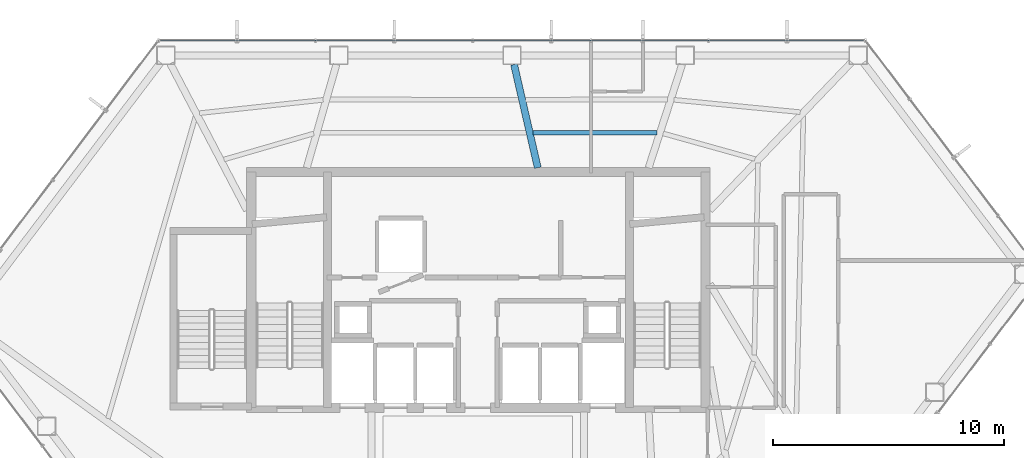
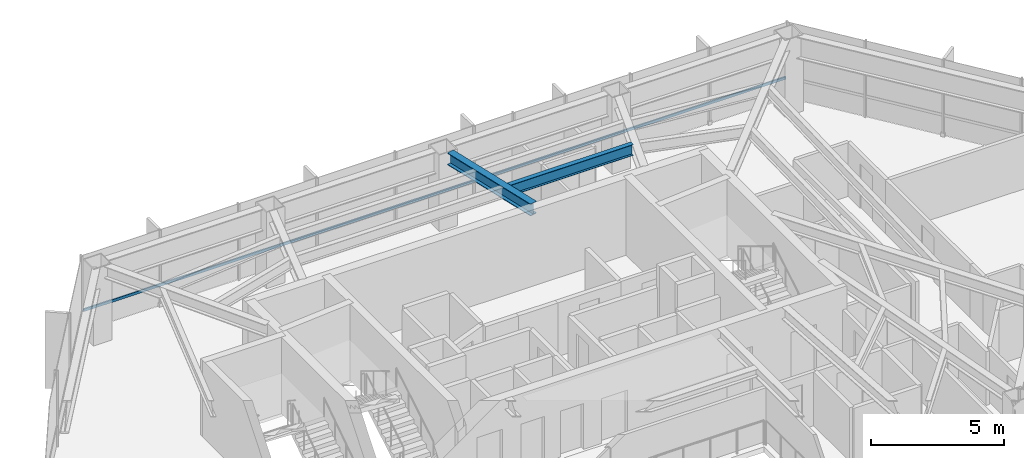
# One storey, part 15 of 29: 2 beams, 1 member, 1 element without a shape of its own.
"""IFC4 building model written with IfcOpenShell, lengths in metres."""

from ifc_helpers import new_model, si_unit, direction, frame, origin, origin_2d, place, context, subcontext, project, spatial, hollow_rectangle, i_section, extrude, material, layer, layer_set, material_profile, profile_set, type_object, element, aggregate, save


model = new_model("IFC4")

# Units and contexts
model_context = context("Model", 3, precision=1e-05, world=origin(), true_north=direction((0.0, 1.0)))
body_context = subcontext(model_context, "Body", "Model", "MODEL_VIEW")
ifc_project = project(units=[si_unit("LENGTHUNIT", "METRE"), si_unit("AREAUNIT", "SQUARE_METRE"), si_unit("VOLUMEUNIT", "CUBIC_METRE"), si_unit("PLANEANGLEUNIT", "RADIAN"), si_unit("MASSUNIT", "GRAM", prefix="KILO")], contexts=[model_context])

# Site, building, storey
site_placement = place(None, origin())
site = spatial("IfcSite", under=ifc_project, at=site_placement, CompositionType="ELEMENT")
building_placement = place(site_placement, origin())
building = spatial("IfcBuilding", under=site, at=building_placement, Name="Zarrinselat Tower", CompositionType="ELEMENT")
storey_placement = place(building_placement, frame((0.0, 0.0, 134.639892578125)))
storey = spatial("IfcBuildingStorey", under=building, at=storey_placement, Name="L32", CompositionType="ELEMENT", Elevation=134.639892578125)

# Beams
ifc_material_1 = material(Name="Steel S355J2", Category="steel")
ifc_material_profile_1 = material_profile(ifc_material_1, i_section(OverallWidth=0.300048828125, OverallDepth=0.550048828125, WebThickness=0.014892578125, FlangeThickness=0.029052734375, at=origin_2d()), Name="HEB 550")
ifc_profile_set_1 = profile_set([ifc_material_profile_1], Name="Steel S355J2")
beam_type_1 = type_object("IfcBeamType", Name="BM-HEB550", PredefinedType="BEAM", material=ifc_profile_set_1)
beam_1_placement = place(storey_placement, frame((39.974609375, 48.108154296875, 3.22509765625), z_axis=(0.223669189107, -0.97466511882, 0.0), x_axis=(0.97466511882, 0.223669189107, 0.0)))
element("IfcBeam", 1, at=beam_1_placement, inside=storey, type_object=beam_type_1, Name="L32 Radial Primary Girder RG03", PredefinedType="BEAM", context=body_context, shape_type="SweptSolid", body=[
    extrude(i_section(OverallWidth=0.300048828125, OverallDepth=0.550048828125, WebThickness=0.014892578125, FlangeThickness=0.029052734375, at=origin_2d()), origin(), (0.0, 0.0, 1.0), 4.58447265625),
])
ifc_material_2 = material(Name="Steel S355J2", Category="steel")
ifc_material_profile_2 = material_profile(ifc_material_2, i_section(OverallWidth=0.199951171875, OverallDepth=0.5, WebThickness=0.01025390625, FlangeThickness=0.01611328125, at=origin_2d()), Name="IPE 500")
ifc_profile_set_2 = profile_set([ifc_material_profile_2], Name="Steel S355J2")
beam_type_2 = type_object("IfcBeamType", Name="BM-IPE500", PredefinedType="JOIST", material=ifc_profile_set_2)
beam_2_placement = place(storey_placement, frame((40.79150390625, 45.1591796875, 3.25), z_axis=(0.999999824809, 0.000591931414, 0.0), x_axis=(-0.000591931414, 0.999999824809, 0.0)))
element("IfcBeam", 2, at=beam_2_placement, inside=storey, type_object=beam_type_2, Name="L32 Composite Floor Joist 7-2", PredefinedType="JOIST", context=body_context, shape_type="SweptSolid", body=[
    extrude(i_section(OverallWidth=0.199951171875, OverallDepth=0.5, WebThickness=0.01025390625, FlangeThickness=0.01611328125, at=origin_2d()), origin(), (0.0, 0.0, 1.0), 5.36181640625),
])

# Curtain wall, member
ifc_material_3 = material(Name="Extruded Aluminium Alloy EN AW-6063 T6", Category="aluminium")
ifc_layer = layer(ifc_material_3, 0.175048828125)
ifc_layer_set = layer_set([ifc_layer], Name="Extruded Aluminium Alloy EN AW-6063 T6")
curtain_wall_type = type_object("IfcCurtainWallType", Name="CWS-HTL", PredefinedType="NOTDEFINED", material=ifc_layer_set)
curtain_wall_placement = place(storey_placement, origin())
curtain_wall = element("IfcCurtainWall", 3, at=curtain_wall_placement, inside=storey, type_object=curtain_wall_type, Name="L32 Unitised Curtain Wall CW-L32-E01", PredefinedType="NOTDEFINED")
ifc_material_4 = material(Name="Extruded Aluminium Alloy EN AW-6063 T6", Category="aluminium")
ifc_material_profile_3 = material_profile(ifc_material_4, hollow_rectangle(XDim=0.06005859375, YDim=0.1201171875, WallThickness=0.00390625, at=origin_2d()), Name="RHS 120x60x4")
ifc_profile_set_3 = profile_set([ifc_material_profile_3], Name="Extruded Aluminium Alloy EN AW-6063 T6")
member_type = type_object("IfcMemberType", Name="MEM-CW-TRN2", PredefinedType="USERDEFINED", material=ifc_profile_set_3)
member_placement = place(storey_placement, frame((55.097900390625, 49.14990234375, 0.9501953125), z_axis=(-1.0, 0.0, 0.0), x_axis=(0.0, -1.0, 0.0)))
member = element("IfcMember", 4, at=member_placement, type_object=member_type, Name="CW-L32-E01 Transom 1", ObjectType="TRANSOM", PredefinedType="USERDEFINED", context=body_context, shape_type="SweptSolid", body=[
    extrude(hollow_rectangle(XDim=0.06005859375, YDim=0.1201171875, WallThickness=0.00390625, at=origin_2d()), origin(), (0.0, 0.0, 1.0), 30.426513671875),
])
aggregate(curtain_wall, [member])

save(model, "model.ifc")
